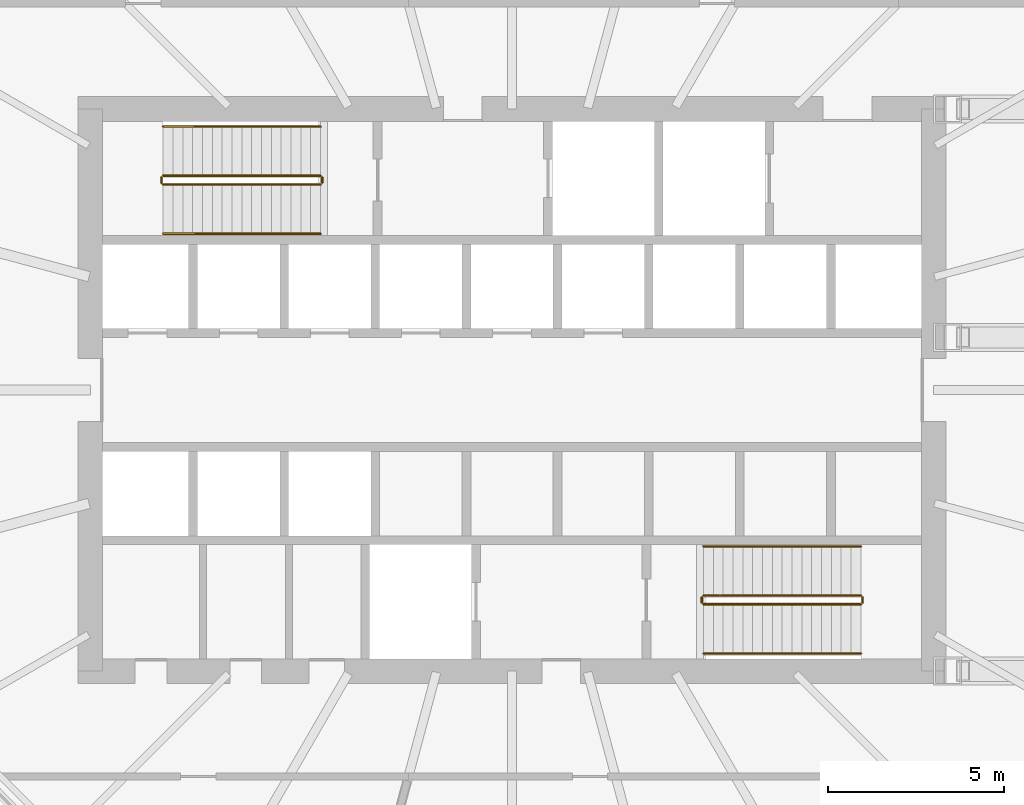
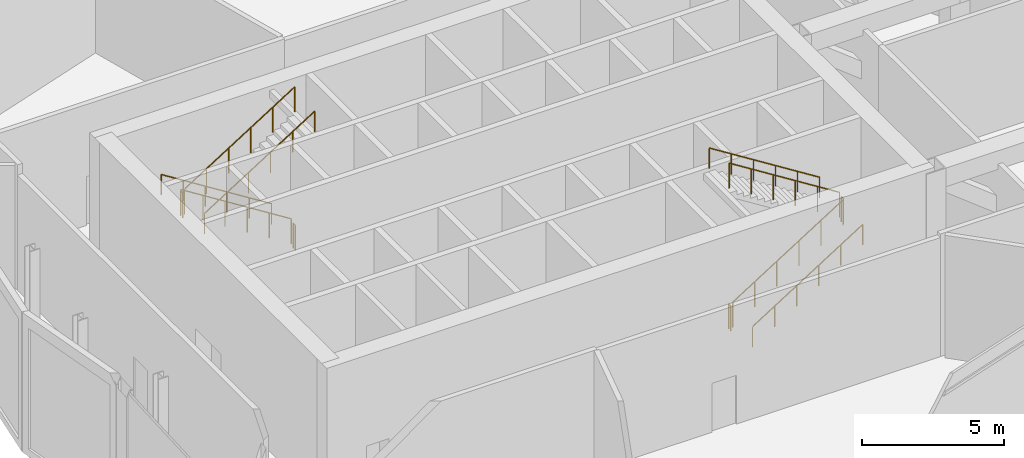
# One storey, part 38 of 39: 12 railings.
"""IFC4 building model written with IfcOpenShell, lengths in metres."""

from ifc_helpers import new_model, si_unit, direction, frame, origin, origin_2d, place, context, subcontext, project, spatial, circle, extrude, material, type_object, element, save


model = new_model("IFC4")

# Units and contexts
model_context = context("Model", 3, precision=1e-05, world=origin(), true_north=direction((0.0, 1.0)))
body_context = subcontext(model_context, "Body", "Model", "MODEL_VIEW")
ifc_project = project(units=[si_unit("LENGTHUNIT", "METRE"), si_unit("AREAUNIT", "SQUARE_METRE"), si_unit("VOLUMEUNIT", "CUBIC_METRE"), si_unit("PLANEANGLEUNIT", "RADIAN"), si_unit("MASSUNIT", "GRAM", prefix="KILO")], contexts=[model_context])

# Site, building, storey
site_placement = place(None, origin())
site = spatial("IfcSite", under=ifc_project, at=site_placement, CompositionType="ELEMENT")
building_placement = place(site_placement, origin())
building = spatial("IfcBuilding", under=site, at=building_placement, Name="Rimbun Link Towers", CompositionType="ELEMENT")
storey_placement = place(building_placement, frame((0.0, 0.0, 127.199951171875)))
storey = spatial("IfcBuildingStorey", under=building, at=storey_placement, Name="L31", CompositionType="ELEMENT", Elevation=127.199951171875)

# Railings
ifc_material_1 = material(Name="Stainless steel grade 316", Category="steel")
railing_type_1 = type_object("IfcRailingType", Name="Stair guard", PredefinedType="GUARDRAIL", material=ifc_material_1)
railing_1_placement = place(storey_placement, frame((-37.199951171875, 6.10009765625, 0.176513671875)))
element("IfcRailing", 1, at=railing_1_placement, inside=storey, type_object=railing_type_1, Name="L31 ST1 stair guard 1", PredefinedType="GUARDRAIL", context=body_context, shape_type="SweptSolid", body=[
    extrude(circle(Radius=0.02392578125, at=origin_2d()), frame((0.0, 0.0, 1.076171875), z_axis=(-0.845997938375, 0.0, 0.533186166611), x_axis=(0.0, -1.0, 0.0)), (0.0, 0.0, 1.0), 5.29541015625),
    extrude(circle(Radius=0.02099609375, at=origin_2d()), origin(), (0.0, 0.0, 1.0), 1.052001953125),
    extrude(circle(Radius=0.02099609375, at=origin_2d()), frame((-0.89599609375, 0.0, 0.564697265625)), (0.0, 0.0, 1.0), 1.052001953125),
    extrude(circle(Radius=0.02099609375, at=origin_2d()), frame((-1.7919921875, 0.0, 1.12939453125)), (0.0, 0.0, 1.0), 1.052001953125),
    extrude(circle(Radius=0.02099609375, at=origin_2d()), frame((-2.68798828125, 0.0, 1.694091796875)), (0.0, 0.0, 1.0), 1.052001953125),
    extrude(circle(Radius=0.02099609375, at=origin_2d()), frame((-3.583984375, 0.0, 2.2587890625)), (0.0, 0.0, 1.0), 1.052001953125),
    extrude(circle(Radius=0.02099609375, at=origin_2d()), frame((-4.47998046875, 0.0, 2.823486328125)), (0.0, 0.0, 1.0), 1.052001953125),
])
railing_2_placement = place(storey_placement, frame((-41.72998046875, 6.050048828125, 3.0)))
element("IfcRailing", 2, at=railing_2_placement, inside=storey, type_object=railing_type_1, Name="L31 ST1 stair guard 2", PredefinedType="GUARDRAIL", context=body_context, shape_type="SweptSolid", body=[
    extrude(circle(Radius=0.02392578125, at=origin_2d()), frame((0.0, 0.0, 1.076171875), z_axis=(0.0, -1.0, 0.0), x_axis=(1.0, 0.0, 0.0)), (0.0, 0.0, 1.0), 0.150146484375),
    extrude(circle(Radius=0.02099609375, at=origin_2d()), origin(), (0.0, 0.0, 1.0), 1.052001953125),
    extrude(circle(Radius=0.02099609375, at=origin_2d()), frame((0.0, -0.150146484375, 0.0)), (0.0, 0.0, 1.0), 1.052001953125),
])
railing_3_placement = place(storey_placement, frame((-41.679931640625, 5.85009765625, 3.176513671875)))
element("IfcRailing", 3, at=railing_3_placement, inside=storey, type_object=railing_type_1, Name="L31 ST1 stair guard 3", PredefinedType="GUARDRAIL", context=body_context, shape_type="SweptSolid", body=[
    extrude(circle(Radius=0.02392578125, at=origin_2d()), frame((0.0, 0.0, 1.076171875), z_axis=(0.845997938375, 0.0, 0.533186166611), x_axis=(0.0, 1.0, 0.0)), (0.0, 0.0, 1.0), 5.29541015625),
    extrude(circle(Radius=0.02099609375, at=origin_2d()), origin(), (0.0, 0.0, 1.0), 1.052001953125),
    extrude(circle(Radius=0.02099609375, at=origin_2d()), frame((0.89599609375, 0.0, 0.564697265625)), (0.0, 0.0, 1.0), 1.052001953125),
    extrude(circle(Radius=0.02099609375, at=origin_2d()), frame((1.7919921875, 0.0, 1.12939453125)), (0.0, 0.0, 1.0), 1.052001953125),
    extrude(circle(Radius=0.02099609375, at=origin_2d()), frame((2.68798828125, 0.0, 1.694091796875)), (0.0, 0.0, 1.0), 1.052001953125),
    extrude(circle(Radius=0.02099609375, at=origin_2d()), frame((3.583984375, 0.0, 2.2587890625)), (0.0, 0.0, 1.0), 1.052001953125),
    extrude(circle(Radius=0.02099609375, at=origin_2d()), frame((4.47998046875, 0.0, 2.823486328125)), (0.0, 0.0, 1.0), 1.052001953125),
])
railing_4_placement = place(storey_placement, frame((-37.14990234375, 6.050048828125, 0.0)))
element("IfcRailing", 4, at=railing_4_placement, inside=storey, type_object=railing_type_1, Name="L31 ST1 stair guard 4", PredefinedType="GUARDRAIL", context=body_context, shape_type="SweptSolid", body=[
    extrude(circle(Radius=0.02392578125, at=origin_2d()), frame((0.0, 0.0, 1.076171875), z_axis=(0.0, -1.0, 0.0), x_axis=(1.0, 0.0, 0.0)), (0.0, 0.0, 1.0), 0.150146484375),
    extrude(circle(Radius=0.02099609375, at=origin_2d()), origin(), (0.0, 0.0, 1.0), 1.052001953125),
    extrude(circle(Radius=0.02099609375, at=origin_2d()), frame((0.0, -0.150146484375, 0.0)), (0.0, 0.0, 1.0), 1.052001953125),
])
railing_5_placement = place(storey_placement, frame((-26.300048828125, -6.10009765625, 0.176513671875)))
element("IfcRailing", 5, at=railing_5_placement, inside=storey, type_object=railing_type_1, Name="L31 ST2 stair guard 1", PredefinedType="GUARDRAIL", context=body_context, shape_type="SweptSolid", body=[
    extrude(circle(Radius=0.02392578125, at=origin_2d()), frame((0.0, 0.0, 1.076171875), z_axis=(0.845997938375, 0.0, 0.533186166611), x_axis=(0.0, 1.0, 0.0)), (0.0, 0.0, 1.0), 5.29541015625),
    extrude(circle(Radius=0.02099609375, at=origin_2d()), origin(), (0.0, 0.0, 1.0), 1.052001953125),
    extrude(circle(Radius=0.02099609375, at=origin_2d()), frame((0.89599609375, 0.0, 0.564697265625)), (0.0, 0.0, 1.0), 1.052001953125),
    extrude(circle(Radius=0.02099609375, at=origin_2d()), frame((1.7919921875, 0.0, 1.12939453125)), (0.0, 0.0, 1.0), 1.052001953125),
    extrude(circle(Radius=0.02099609375, at=origin_2d()), frame((2.68798828125, 0.0, 1.694091796875)), (0.0, 0.0, 1.0), 1.052001953125),
    extrude(circle(Radius=0.02099609375, at=origin_2d()), frame((3.583984375, 0.0, 2.2587890625)), (0.0, 0.0, 1.0), 1.052001953125),
    extrude(circle(Radius=0.02099609375, at=origin_2d()), frame((4.47998046875, 0.0, 2.823486328125)), (0.0, 0.0, 1.0), 1.052001953125),
])
railing_6_placement = place(storey_placement, frame((-21.77001953125, -6.050048828125, 3.0)))
element("IfcRailing", 6, at=railing_6_placement, inside=storey, type_object=railing_type_1, Name="L31 ST2 stair guard 2", PredefinedType="GUARDRAIL", context=body_context, shape_type="SweptSolid", body=[
    extrude(circle(Radius=0.02392578125, at=origin_2d()), frame((0.0, 0.0, 1.076171875), z_axis=(0.0, 1.0, 0.0), x_axis=(-1.0, 0.0, 0.0)), (0.0, 0.0, 1.0), 0.150146484375),
    extrude(circle(Radius=0.02099609375, at=origin_2d()), origin(), (0.0, 0.0, 1.0), 1.052001953125),
    extrude(circle(Radius=0.02099609375, at=origin_2d()), frame((0.0, 0.150146484375, 0.0)), (0.0, 0.0, 1.0), 1.052001953125),
])
railing_7_placement = place(storey_placement, frame((-21.820068359375, -5.85009765625, 3.176513671875)))
element("IfcRailing", 7, at=railing_7_placement, inside=storey, type_object=railing_type_1, Name="L31 ST2 stair guard 3", PredefinedType="GUARDRAIL", context=body_context, shape_type="SweptSolid", body=[
    extrude(circle(Radius=0.02392578125, at=origin_2d()), frame((0.0, 0.0, 1.076171875), z_axis=(-0.845997938375, 0.0, 0.533186166611), x_axis=(0.0, -1.0, 0.0)), (0.0, 0.0, 1.0), 5.29541015625),
    extrude(circle(Radius=0.02099609375, at=origin_2d()), origin(), (0.0, 0.0, 1.0), 1.052001953125),
    extrude(circle(Radius=0.02099609375, at=origin_2d()), frame((-0.89599609375, 0.0, 0.564697265625)), (0.0, 0.0, 1.0), 1.052001953125),
    extrude(circle(Radius=0.02099609375, at=origin_2d()), frame((-1.7919921875, 0.0, 1.12939453125)), (0.0, 0.0, 1.0), 1.052001953125),
    extrude(circle(Radius=0.02099609375, at=origin_2d()), frame((-2.68798828125, 0.0, 1.694091796875)), (0.0, 0.0, 1.0), 1.052001953125),
    extrude(circle(Radius=0.02099609375, at=origin_2d()), frame((-3.583984375, 0.0, 2.2587890625)), (0.0, 0.0, 1.0), 1.052001953125),
    extrude(circle(Radius=0.02099609375, at=origin_2d()), frame((-4.47998046875, 0.0, 2.823486328125)), (0.0, 0.0, 1.0), 1.052001953125),
])
railing_8_placement = place(storey_placement, frame((-26.35009765625, -6.050048828125, 0.0)))
element("IfcRailing", 8, at=railing_8_placement, inside=storey, type_object=railing_type_1, Name="L31 ST2 stair guard 4", PredefinedType="GUARDRAIL", context=body_context, shape_type="SweptSolid", body=[
    extrude(circle(Radius=0.02392578125, at=origin_2d()), frame((0.0, 0.0, 1.076171875), z_axis=(0.0, 1.0, 0.0), x_axis=(-1.0, 0.0, 0.0)), (0.0, 0.0, 1.0), 0.150146484375),
    extrude(circle(Radius=0.02099609375, at=origin_2d()), origin(), (0.0, 0.0, 1.0), 1.052001953125),
    extrude(circle(Radius=0.02099609375, at=origin_2d()), frame((0.0, 0.150146484375, 0.0)), (0.0, 0.0, 1.0), 1.052001953125),
])
ifc_material_2 = material(Name="Stainless steel grade 316", Category="steel")
railing_type_2 = type_object("IfcRailingType", Name="Stair handrail", PredefinedType="HANDRAIL", material=ifc_material_2)
railing_9_placement = place(storey_placement, frame((-37.199951171875, 7.5, 0.176513671875)))
element("IfcRailing", 9, at=railing_9_placement, inside=storey, type_object=railing_type_2, Name="L31 ST1 stair handrail 1", PredefinedType="HANDRAIL", context=body_context, shape_type="SweptSolid", body=[
    extrude(circle(Radius=0.02392578125, at=origin_2d()), frame((0.0, 0.0, 0.8759765625), z_axis=(-0.845997938375, 0.0, 0.533186166611), x_axis=(0.0, -1.0, 0.0)), (0.0, 0.0, 1.0), 5.29541015625),
    extrude(circle(Radius=0.02099609375, at=origin_2d()), origin(), (0.0, 0.0, 1.0), 0.851806640625),
    extrude(circle(Radius=0.02099609375, at=origin_2d()), frame((-0.89599609375, 0.0, 0.564697265625)), (0.0, 0.0, 1.0), 0.851806640625),
    extrude(circle(Radius=0.02099609375, at=origin_2d()), frame((-1.7919921875, 0.0, 1.12939453125)), (0.0, 0.0, 1.0), 0.851806640625),
    extrude(circle(Radius=0.02099609375, at=origin_2d()), frame((-2.68798828125, 0.0, 1.694091796875)), (0.0, 0.0, 1.0), 0.851806640625),
    extrude(circle(Radius=0.02099609375, at=origin_2d()), frame((-3.583984375, 0.0, 2.2587890625)), (0.0, 0.0, 1.0), 0.851806640625),
    extrude(circle(Radius=0.02099609375, at=origin_2d()), frame((-4.47998046875, 0.0, 2.823486328125)), (0.0, 0.0, 1.0), 0.851806640625),
])
for number, where, name in (
    (10, (-41.679931640625, 4.449951171875, 3.176513671875), "L31 ST1 stair handrail 2"),
    (11, (-26.300048828125, -7.5, 0.176513671875), "L31 ST2 stair handrail 1"),
):
    element("IfcRailing", number, at=place(storey_placement, frame(where)), inside=storey, type_object=railing_type_2, Name=name, PredefinedType="HANDRAIL", context=body_context, shape_type="SweptSolid", body=[
        extrude(circle(Radius=0.02392578125, at=origin_2d()), frame((0.0, 0.0, 0.8759765625), z_axis=(0.845997938375, 0.0, 0.533186166611), x_axis=(0.0, 1.0, 0.0)), (0.0, 0.0, 1.0), 5.29541015625),
        extrude(circle(Radius=0.02099609375, at=origin_2d()), origin(), (0.0, 0.0, 1.0), 0.851806640625),
        extrude(circle(Radius=0.02099609375, at=origin_2d()), frame((0.89599609375, 0.0, 0.564697265625)), (0.0, 0.0, 1.0), 0.851806640625),
        extrude(circle(Radius=0.02099609375, at=origin_2d()), frame((1.7919921875, 0.0, 1.12939453125)), (0.0, 0.0, 1.0), 0.851806640625),
        extrude(circle(Radius=0.02099609375, at=origin_2d()), frame((2.68798828125, 0.0, 1.694091796875)), (0.0, 0.0, 1.0), 0.851806640625),
        extrude(circle(Radius=0.02099609375, at=origin_2d()), frame((3.583984375, 0.0, 2.2587890625)), (0.0, 0.0, 1.0), 0.851806640625),
        extrude(circle(Radius=0.02099609375, at=origin_2d()), frame((4.47998046875, 0.0, 2.823486328125)), (0.0, 0.0, 1.0), 0.851806640625),
    ])
railing_10_placement = place(storey_placement, frame((-21.820068359375, -4.449951171875, 3.176513671875)))
element("IfcRailing", 12, at=railing_10_placement, inside=storey, type_object=railing_type_2, Name="L31 ST2 stair handrail 2", PredefinedType="HANDRAIL", context=body_context, shape_type="SweptSolid", body=[
    extrude(circle(Radius=0.02392578125, at=origin_2d()), frame((0.0, 0.0, 0.8759765625), z_axis=(-0.845997938375, 0.0, 0.533186166611), x_axis=(0.0, -1.0, 0.0)), (0.0, 0.0, 1.0), 5.29541015625),
    extrude(circle(Radius=0.02099609375, at=origin_2d()), origin(), (0.0, 0.0, 1.0), 0.851806640625),
    extrude(circle(Radius=0.02099609375, at=origin_2d()), frame((-0.89599609375, 0.0, 0.564697265625)), (0.0, 0.0, 1.0), 0.851806640625),
    extrude(circle(Radius=0.02099609375, at=origin_2d()), frame((-1.7919921875, 0.0, 1.12939453125)), (0.0, 0.0, 1.0), 0.851806640625),
    extrude(circle(Radius=0.02099609375, at=origin_2d()), frame((-2.68798828125, 0.0, 1.694091796875)), (0.0, 0.0, 1.0), 0.851806640625),
    extrude(circle(Radius=0.02099609375, at=origin_2d()), frame((-3.583984375, 0.0, 2.2587890625)), (0.0, 0.0, 1.0), 0.851806640625),
    extrude(circle(Radius=0.02099609375, at=origin_2d()), frame((-4.47998046875, 0.0, 2.823486328125)), (0.0, 0.0, 1.0), 0.851806640625),
])

save(model, "model.ifc")
